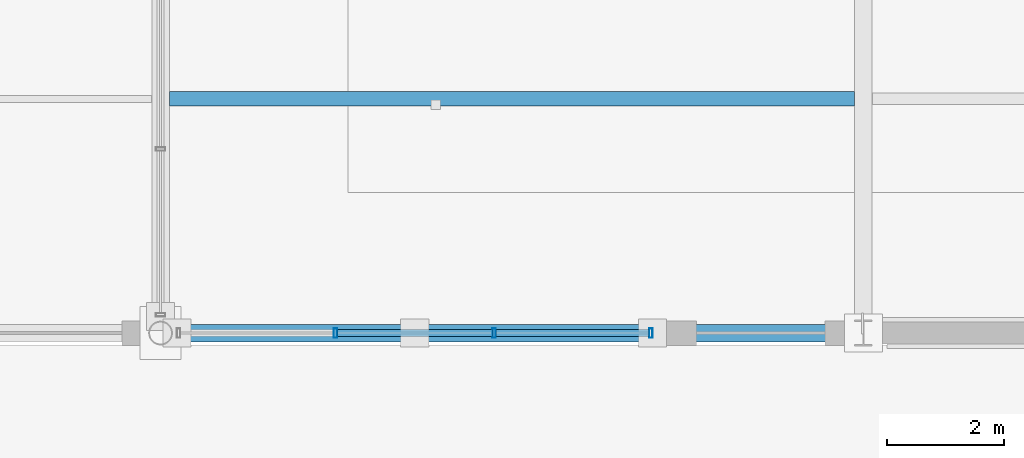
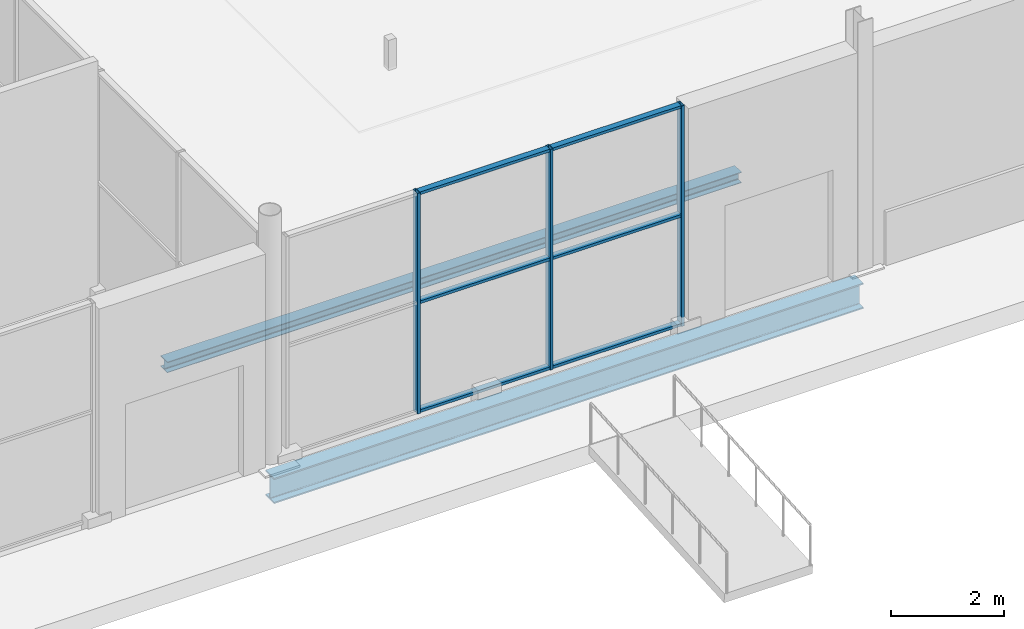
# One storey, part 64 of 196: 9 members, 2 beams, 1 element without a shape of its own.
"""IFC4 building model written with IfcOpenShell, lengths in metres."""

from ifc_helpers import new_model, si_unit, direction, frame, origin, origin_2d, place, context, subcontext, project, spatial, hollow_rectangle, i_section, extrude, material, material_profile, profile_set, type_object, element, aggregate, save


model = new_model("IFC4")

# Units and contexts
model_context = context("Model", 3, precision=1e-05, world=origin(), true_north=direction((0.0, 1.0)))
body_context = subcontext(model_context, "Body", "Model", "MODEL_VIEW")
ifc_project = project(units=[si_unit("LENGTHUNIT", "METRE"), si_unit("AREAUNIT", "SQUARE_METRE"), si_unit("VOLUMEUNIT", "CUBIC_METRE"), si_unit("PLANEANGLEUNIT", "RADIAN"), si_unit("MASSUNIT", "GRAM", prefix="KILO")], contexts=[model_context])

# Site, building, storey
site_placement = place(None, origin())
site = spatial("IfcSite", under=ifc_project, at=site_placement, CompositionType="ELEMENT")
building_placement = place(site_placement, origin())
building = spatial("IfcBuilding", under=site, at=building_placement, Name="Merenkruunu Market Hall", CompositionType="ELEMENT")
storey_placement = place(building_placement, origin())
storey = spatial("IfcBuildingStorey", under=building, at=storey_placement, Name="L00", CompositionType="ELEMENT", Elevation=0.0)

# Curtain wall, members
ifc_material_1 = material(Name="Powder-coated aluminium", Category="aluminium")
curtain_wall_type = type_object("IfcCurtainWallType", Name="Glazed Curtain Wall CW06", PredefinedType="USERDEFINED", material=ifc_material_1)
curtain_wall_placement = place(storey_placement, origin())
curtain_wall = element("IfcCurtainWall", 1, at=curtain_wall_placement, inside=storey, type_object=curtain_wall_type, Name="CW-L00-CWM01-180", ObjectType="GLAZED_FACADE", PredefinedType="USERDEFINED")
ifc_material_profile_1 = material_profile(ifc_material_1, hollow_rectangle(XDim=0.06005859375, YDim=0.159912109375, WallThickness=0.00390625, at=origin_2d()), Name="ALU 60x160x4")
ifc_profile_set_1 = profile_set([ifc_material_profile_1], Name="Powder-coated aluminium")
member_type_1 = type_object("IfcMemberType", Name="Curtain Wall Mullion CWM01", PredefinedType="MULLION", material=ifc_profile_set_1)
member_1_placement = place(storey_placement, frame((85.169921875, 15.60009765625, 0.0), z_axis=(0.0, 0.0, 1.0), x_axis=(-1.0, 0.0, 0.0)))
member_1 = element("IfcMember", 2, at=member_1_placement, type_object=member_type_1, Name="CW06 mullion 1", PredefinedType="MULLION", context=body_context, shape_type="SweptSolid", body=[
    extrude(hollow_rectangle(XDim=0.06005859375, YDim=0.159912109375, WallThickness=0.00390625, at=origin_2d()), origin(), (0.0, 0.0, 1.0), 4.75),
])
member_2_placement = place(storey_placement, frame((82.493408203125, 15.60009765625, 0.0), z_axis=(0.0, 0.0, 1.0), x_axis=(-1.0, 0.0, 0.0)))
member_2 = element("IfcMember", 3, at=member_2_placement, type_object=member_type_1, Name="CW06 mullion 2", PredefinedType="MULLION", context=body_context, shape_type="SweptSolid", body=[
    extrude(hollow_rectangle(XDim=0.06005859375, YDim=0.159912109375, WallThickness=0.00390625, at=origin_2d()), origin(), (0.0, 0.0, 1.0), 4.75),
])
member_3_placement = place(storey_placement, frame((79.78662109375, 15.60009765625, 0.0), z_axis=(0.0, 0.0, 1.0), x_axis=(-1.0, 0.0, 0.0)))
member_3 = element("IfcMember", 4, at=member_3_placement, type_object=member_type_1, Name="CW06 mullion 3", PredefinedType="MULLION", context=body_context, shape_type="SweptSolid", body=[
    extrude(hollow_rectangle(XDim=0.06005859375, YDim=0.159912109375, WallThickness=0.00390625, at=origin_2d()), origin(), (0.0, 0.0, 1.0), 4.75),
])
ifc_material_profile_2 = material_profile(ifc_material_1, hollow_rectangle(XDim=0.06005859375, YDim=0.125, WallThickness=0.00390625, at=origin_2d()), Name="ALU 60x125x4")
ifc_profile_set_2 = profile_set([ifc_material_profile_2], Name="Powder-coated aluminium")
member_type_2 = type_object("IfcMemberType", Name="Curtain Wall Transom CWT01", PredefinedType="USERDEFINED", material=ifc_profile_set_2)
member_4_placement = place(storey_placement, frame((85.139892578125, 15.60009765625, 0.030029296875), z_axis=(-1.0, 0.0, 0.0), x_axis=(0.0, 0.0, 1.0)))
member_4 = element("IfcMember", 5, at=member_4_placement, type_object=member_type_2, Name="CW06 transom 1.1", ObjectType="TRANSOM", PredefinedType="USERDEFINED", context=body_context, shape_type="SweptSolid", body=[
    extrude(hollow_rectangle(XDim=0.06005859375, YDim=0.125, WallThickness=0.00390625, at=origin_2d()), origin(), (0.0, 0.0, 1.0), 2.616455078125),
])
member_5_placement = place(storey_placement, frame((85.139892578125, 15.60009765625, 2.375), z_axis=(-1.0, 0.0, 0.0), x_axis=(0.0, 0.0, 1.0)))
member_5 = element("IfcMember", 6, at=member_5_placement, type_object=member_type_2, Name="CW06 transom 1.2", ObjectType="TRANSOM", PredefinedType="USERDEFINED", context=body_context, shape_type="SweptSolid", body=[
    extrude(hollow_rectangle(XDim=0.06005859375, YDim=0.125, WallThickness=0.00390625, at=origin_2d()), origin(), (0.0, 0.0, 1.0), 2.616455078125),
])
member_6_placement = place(storey_placement, frame((85.139892578125, 15.60009765625, 4.719970703125), z_axis=(-1.0, 0.0, 0.0), x_axis=(0.0, 0.0, 1.0)))
member_6 = element("IfcMember", 7, at=member_6_placement, type_object=member_type_2, Name="CW06 transom 1.3", ObjectType="TRANSOM", PredefinedType="USERDEFINED", context=body_context, shape_type="SweptSolid", body=[
    extrude(hollow_rectangle(XDim=0.06005859375, YDim=0.125, WallThickness=0.00390625, at=origin_2d()), origin(), (0.0, 0.0, 1.0), 2.616455078125),
])
member_7_placement = place(storey_placement, frame((82.46337890625, 15.60009765625, 0.030029296875), z_axis=(-1.0, 0.0, 0.0), x_axis=(0.0, 0.0, 1.0)))
member_7 = element("IfcMember", 8, at=member_7_placement, type_object=member_type_2, Name="CW06 transom 2.1", ObjectType="TRANSOM", PredefinedType="USERDEFINED", context=body_context, shape_type="SweptSolid", body=[
    extrude(hollow_rectangle(XDim=0.06005859375, YDim=0.125, WallThickness=0.00390625, at=origin_2d()), origin(), (0.0, 0.0, 1.0), 2.646728515625),
])
member_8_placement = place(storey_placement, frame((82.46337890625, 15.60009765625, 2.375), z_axis=(-1.0, 0.0, 0.0), x_axis=(0.0, 0.0, 1.0)))
member_8 = element("IfcMember", 9, at=member_8_placement, type_object=member_type_2, Name="CW06 transom 2.2", ObjectType="TRANSOM", PredefinedType="USERDEFINED", context=body_context, shape_type="SweptSolid", body=[
    extrude(hollow_rectangle(XDim=0.06005859375, YDim=0.125, WallThickness=0.00390625, at=origin_2d()), origin(), (0.0, 0.0, 1.0), 2.646728515625),
])
member_9_placement = place(storey_placement, frame((82.46337890625, 15.60009765625, 4.719970703125), z_axis=(-1.0, 0.0, 0.0), x_axis=(0.0, 0.0, 1.0)))
member_9 = element("IfcMember", 10, at=member_9_placement, type_object=member_type_2, Name="CW06 transom 2.3", ObjectType="TRANSOM", PredefinedType="USERDEFINED", context=body_context, shape_type="SweptSolid", body=[
    extrude(hollow_rectangle(XDim=0.06005859375, YDim=0.125, WallThickness=0.00390625, at=origin_2d()), origin(), (0.0, 0.0, 1.0), 2.646728515625),
])
aggregate(curtain_wall, [member_1, member_2, member_3, member_4, member_5, member_6, member_7, member_8, member_9])

# Beams
ifc_material_2 = material(Name="Steel S355J2", Category="steel")
ifc_material_profile_3 = material_profile(ifc_material_2, i_section(OverallWidth=0.300048828125, OverallDepth=0.550048828125, WebThickness=0.014892578125, FlangeThickness=0.029052734375, FilletRadius=0.027099609375, at=origin_2d()), Name="HEB 550")
ifc_profile_set_3 = profile_set([ifc_material_profile_3], Name="Steel S355J2")
beam_type_1 = type_object("IfcBeamType", Name="Primary Floor Girder B02", PredefinedType="BEAM", material=ifc_profile_set_3)
beam_1_placement = place(storey_placement, frame((76.800048828125, 15.60009765625, -0.574951171875), z_axis=(1.0, 0.0, 0.0), x_axis=(0.0, 1.0, 0.0)))
element("IfcBeam", 11, at=beam_1_placement, inside=storey, type_object=beam_type_1, Name="BM-L00-B02-0017", PredefinedType="BEAM", context=body_context, shape_type="SweptSolid", body=[
    extrude(i_section(OverallWidth=0.300048828125, OverallDepth=0.550048828125, WebThickness=0.014892578125, FlangeThickness=0.029052734375, FilletRadius=0.027099609375, at=origin_2d()), origin(), (0.0, 0.0, 1.0), 12.0),
])
ifc_material_profile_4 = material_profile(ifc_material_2, i_section(OverallWidth=0.239990234375, OverallDepth=0.22998046875, WebThickness=0.007568359375, FlangeThickness=0.011962890625, FilletRadius=0.02099609375, at=origin_2d()), Name="HEA 240")
ifc_profile_set_4 = profile_set([ifc_material_profile_4], Name="Steel S355J2")
beam_type_2 = type_object("IfcBeamType", Name="Secondary Floor Joist J06", PredefinedType="JOIST", material=ifc_profile_set_4)
beam_2_placement = place(storey_placement, frame((76.952880859375, 19.60009765625, -0.4150390625), z_axis=(1.0, 0.0, 0.0), x_axis=(0.0, 1.0, 0.0)))
element("IfcBeam", 12, at=beam_2_placement, inside=storey, type_object=beam_type_2, Name="BM-L00-J06-0368", PredefinedType="JOIST", context=body_context, shape_type="SweptSolid", body=[
    extrude(i_section(OverallWidth=0.239990234375, OverallDepth=0.22998046875, WebThickness=0.007568359375, FlangeThickness=0.011962890625, FilletRadius=0.02099609375, at=origin_2d()), origin(), (0.0, 0.0, 1.0), 11.694091796875),
])

save(model, "model.ifc")
